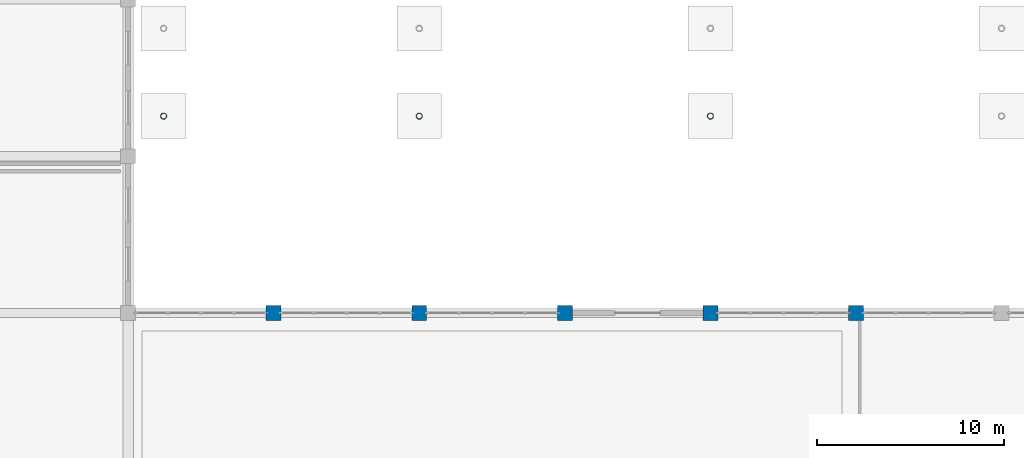
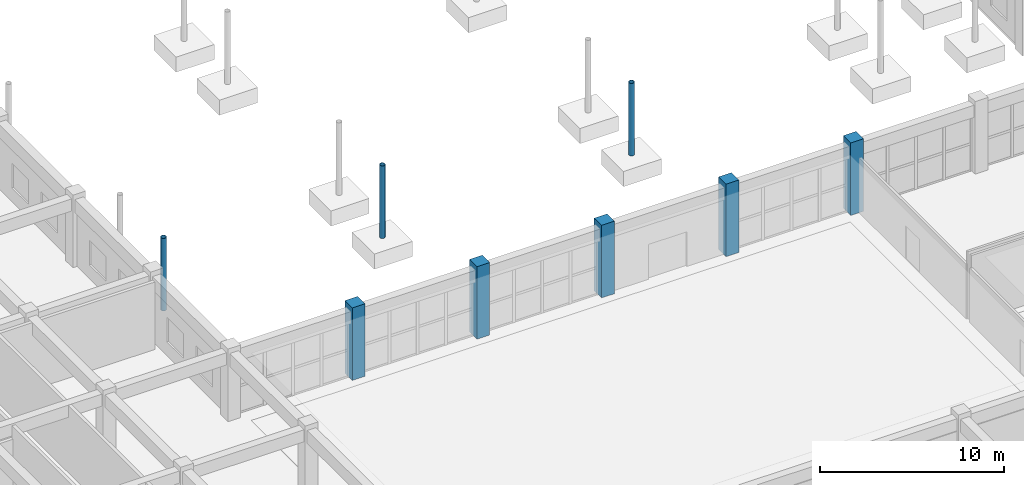
# One storey, part 3 of 139: 8 columns.
"""IFC4 building model written with IfcOpenShell, lengths in metres."""

from ifc_helpers import new_model, si_unit, direction, frame, origin, origin_2d, place, context, subcontext, project, spatial, rectangle, hollow_circle, extrude, material, material_profile, profile_set, type_object, element, save


model = new_model("IFC4")

# Units and contexts
model_context = context("Model", 3, precision=1e-05, world=origin(), true_north=direction((0.0, 1.0)))
body_context = subcontext(model_context, "Body", "Model", "MODEL_VIEW")
ifc_project = project(units=[si_unit("LENGTHUNIT", "METRE"), si_unit("AREAUNIT", "SQUARE_METRE"), si_unit("VOLUMEUNIT", "CUBIC_METRE"), si_unit("PLANEANGLEUNIT", "RADIAN"), si_unit("MASSUNIT", "GRAM", prefix="KILO")], contexts=[model_context])

# Site, building, storey
site_placement = place(None, origin())
site = spatial("IfcSite", under=ifc_project, at=site_placement, CompositionType="ELEMENT")
building_placement = place(site_placement, origin())
building = spatial("IfcBuilding", under=site, at=building_placement, Name="Zizhar Promenade General Hospital", CompositionType="ELEMENT")
storey_placement = place(building_placement, origin())
storey = spatial("IfcBuildingStorey", under=building, at=storey_placement, Name="L00", CompositionType="ELEMENT", Elevation=0.0)

# Columns
ifc_material_1 = material(Name="Concrete C40/50", Category="concrete")
ifc_material_profile_1 = material_profile(ifc_material_1, rectangle(XDim=0.800048828125, YDim=0.800048828125, at=origin_2d()))
ifc_profile_set_1 = profile_set([ifc_material_profile_1], Name="Concrete C40/50")
column_type_1 = type_object("IfcColumnType", Name="COL-RC-800", PredefinedType="COLUMN", material=ifc_profile_set_1)
for number, where, z_axis, x_axis, name in (
    (1, (78.0, 50.39990234375, 0.0), (0.0, 0.0, 1.0), (1.0, 0.0, 0.0), "Column 11-G (L00)"),
    (2, (85.800048828125, 50.39990234375, 0.0), (0.0, 0.0, 1.0), (1.0, 0.0, 0.0), "Column 12-G (L00)"),
    (3, (93.60009765625, 50.39990234375, 0.0), (0.0, 0.0, 1.0), (1.0, 0.0, 0.0), "Column 13-G (L00)"),
    (4, (101.39990234375, 50.39990234375, 0.0), (0.0, 0.0, 1.0), (1.0, 0.0, 0.0), "Column 14-G (L00)"),
    (5, (109.199951171875, 50.39990234375, 0.0), (0.0, 0.0, 1.0), (1.0, 0.0, 0.0), "Column 15-G (L00)"),
):
    element("IfcColumn", number, at=place(storey_placement, frame(where, z_axis=z_axis, x_axis=x_axis)), inside=storey, type_object=column_type_1, Name=name, PredefinedType="COLUMN", context=body_context, shape_type="SweptSolid", body=[
        extrude(rectangle(XDim=0.800048828125, YDim=0.800048828125, at=origin_2d()), origin(), (0.0, 0.0, 1.0), 4.800048828125),
    ])
ifc_material_2 = material(Name="Steel S355", Category="steel")
ifc_material_profile_2 = material_profile(ifc_material_2, hollow_circle(Radius=0.161865234375, WallThickness=0.012451171875, at=origin_2d()))
ifc_profile_set_2 = profile_set([ifc_material_profile_2], Name="Steel S355")
column_type_2 = type_object("IfcColumnType", Name="COL-STL-CHS324", PredefinedType="COLUMN", material=ifc_profile_set_2)
for number, where, z_axis, x_axis, name in (
    (6, (85.800048828125, 60.949951171875, 0.0), (0.0, 0.0, 1.0), (1.0, 0.0, 0.0), "SB-1 Courtyard Pier 1S (L00)"),
    (7, (101.39990234375, 60.949951171875, 0.0), (0.0, 0.0, 1.0), (1.0, 0.0, 0.0), "SB-1 Courtyard Pier 2S (L00)"),
    (8, (72.10009765625, 60.949951171875, 0.0), (0.0, 0.0, 1.0), (1.0, 0.0, 0.0), "SB-1 Abutment Pier 1S (L00)"),
):
    element("IfcColumn", number, at=place(storey_placement, frame(where, z_axis=z_axis, x_axis=x_axis)), inside=storey, type_object=column_type_2, Name=name, PredefinedType="COLUMN", context=body_context, shape_type="SweptSolid", body=[
        extrude(hollow_circle(Radius=0.161865234375, WallThickness=0.012451171875, at=origin_2d()), origin(), (0.0, 0.0, 1.0), 4.800048828125),
    ])

save(model, "model.ifc")
